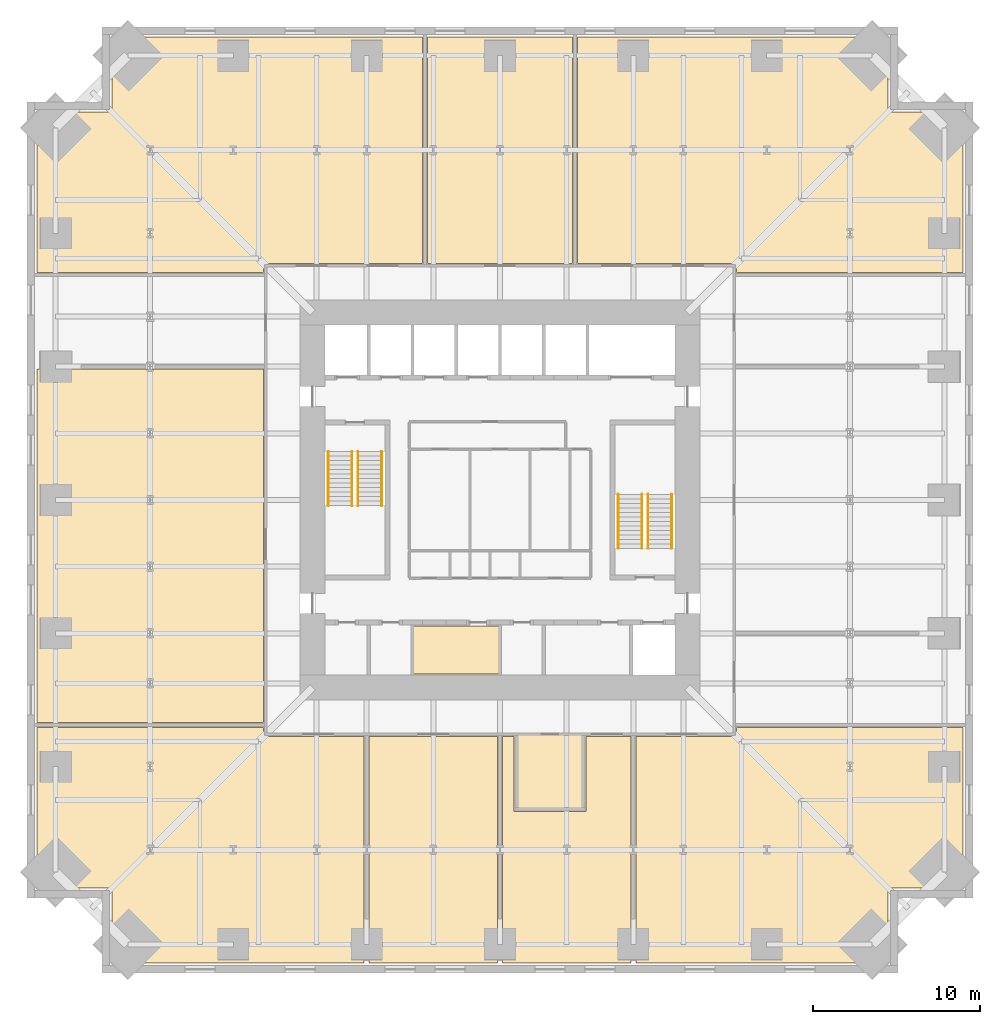
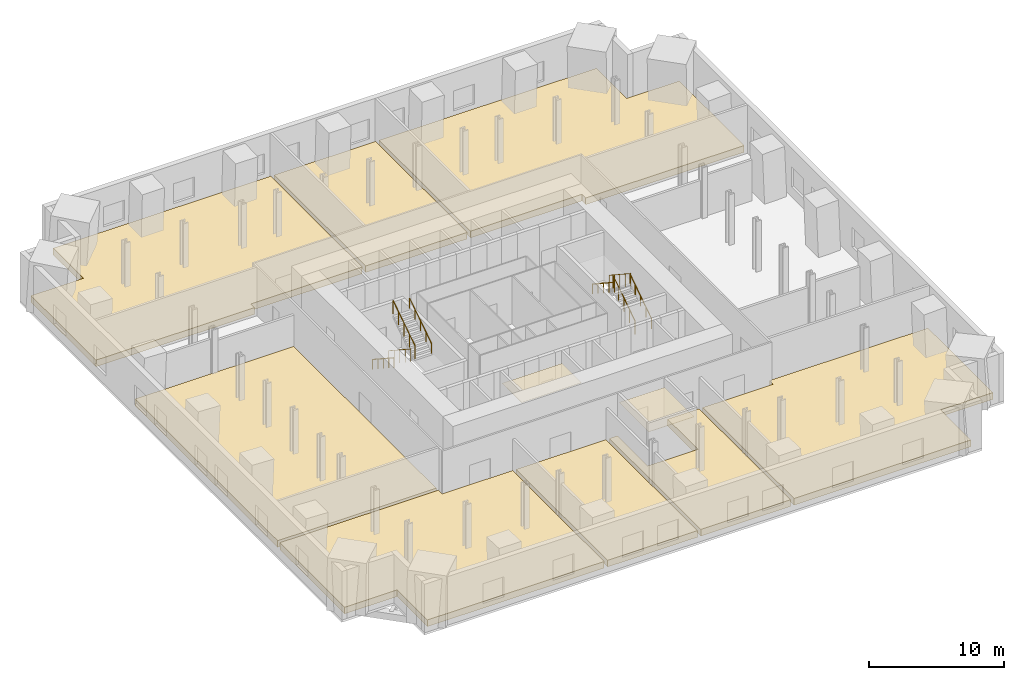
# One storey, part 8 of 8: 10 coverings, 8 railings.
"""IFC4 building model written with IfcOpenShell, lengths in metres."""

from ifc_helpers import new_model, si_unit, direction, frame, origin, origin_2d, place, context, subcontext, project, spatial, polyline, circle, outline, extrude, material, layer, layer_set, type_object, element, save


model = new_model("IFC4")

# Units and contexts
model_context = context("Model", 3, precision=1e-05, world=origin(), true_north=direction((0.0, 1.0)))
body_context = subcontext(model_context, "Body", "Model", "MODEL_VIEW")
ifc_project = project(units=[si_unit("LENGTHUNIT", "METRE"), si_unit("AREAUNIT", "SQUARE_METRE"), si_unit("VOLUMEUNIT", "CUBIC_METRE"), si_unit("PLANEANGLEUNIT", "RADIAN"), si_unit("MASSUNIT", "GRAM", prefix="KILO")], contexts=[model_context])

# Site, building, storey
site_placement = place(None, origin())
site = spatial("IfcSite", under=ifc_project, at=site_placement, CompositionType="ELEMENT")
building_placement = place(site_placement, origin())
building = spatial("IfcBuilding", under=site, at=building_placement, Name="Peilmerk Tower", CompositionType="ELEMENT")
storey_placement = place(building_placement, frame((0.0, 0.0, 104.39990234375)))
storey = spatial("IfcBuildingStorey", under=building, at=storey_placement, Name="L20", CompositionType="ELEMENT", Elevation=104.39990234375)

# Coverings
ifc_material_1 = material(Name="Mineral fibre ceiling tiles", Category="mineral")
ifc_layer_1 = layer(ifc_material_1, 0.02490234375)
ifc_layer_set_1 = layer_set([ifc_layer_1], Name="Mineral fibre ceiling tiles")
covering_type_1 = type_object("IfcCoveringType", Name="CL1 25 suspended ceiling", PredefinedType="CEILING", material=ifc_layer_set_1)
covering_1_placement = place(storey_placement, frame((0.0, 0.0, 3.47509765625)))
element("IfcCovering", 1, at=covering_1_placement, inside=storey, type_object=covering_type_1, Name="Suspended ceiling Operations office", PredefinedType="CEILING", context=body_context, shape_type="SweptSolid", body=[
    extrude(outline(polyline([(4.949951171875, -18.5), (4.949951171875, -14.10009765625), (1.050048828125, -14.10009765625), (1.050048828125, -18.5), (4.949951171875, -18.5)])), origin(), (0.0, 0.0, 1.0), 0.02490234375),
])
covering_2_placement = place(storey_placement, frame((0.0, 0.0, 3.425048828125)))
element("IfcCovering", 2, at=covering_2_placement, inside=storey, type_object=covering_type_1, Name="Suspended ceiling Back-of-house office", PredefinedType="CEILING", context=body_context, shape_type="SweptSolid", body=[
    extrude(outline(polyline([(-5.198974609375, -10.448974609375), (-0.051025390625, -10.448974609375), (-0.051025390625, -7.551025390625), (-5.198974609375, -7.551025390625), (-5.198974609375, -10.448974609375)])), origin(), (0.0, 0.0, 1.0), 0.025146484375),
])

# Railings
ifc_material_2 = material(Name="Steel flat bar balustrade", Category="steel")
railing_type_1 = type_object("IfcRailingType", Name="GR1 1200 stair guard", PredefinedType="GUARDRAIL", material=ifc_material_2)
railing_1_placement = place(storey_placement, frame((-8.8798828125, 2.89990234375, 0.177001953125)))
element("IfcRailing", 3, at=railing_1_placement, inside=storey, type_object=railing_type_1, Name="Guard stair 1 L20", PredefinedType="GUARDRAIL", context=body_context, shape_type="SweptSolid", body=[
    extrude(circle(Radius=0.02392578125, at=origin_2d()), frame((0.0, 0.0, 1.17578125), z_axis=(0.0, -0.836426258751, 0.548079477514), x_axis=(1.0, 0.0, 0.0)), (0.0, 0.0, 1.0), 3.87353515625),
    extrude(circle(Radius=0.02099609375, at=origin_2d()), origin(), (0.0, 0.0, 1.0), 1.15185546875),
    extrude(circle(Radius=0.02099609375, at=origin_2d()), frame((0.0, -0.81005859375, 0.53076171875)), (0.0, 0.0, 1.0), 1.15185546875),
    extrude(circle(Radius=0.02099609375, at=origin_2d()), frame((0.0, -1.6201171875, 1.0615234375)), (0.0, 0.0, 1.0), 1.15185546875),
    extrude(circle(Radius=0.02099609375, at=origin_2d()), frame((0.0, -2.429931640625, 1.59228515625)), (0.0, 0.0, 1.0), 1.15185546875),
    extrude(circle(Radius=0.02099609375, at=origin_2d()), frame((0.0, -3.239990234375, 2.123046875)), (0.0, 0.0, 1.0), 1.15185546875),
])
for number, where, name in (
    (4, (-8.52001953125, -0.340087890625, 2.47705078125), "Guard stair 1 L20"),
    (5, (8.8798828125, -2.89990234375, 0.177001953125), "Guard stair 2 L20"),
):
    element("IfcRailing", number, at=place(storey_placement, frame(where)), inside=storey, type_object=railing_type_1, Name=name, PredefinedType="GUARDRAIL", context=body_context, shape_type="SweptSolid", body=[
        extrude(circle(Radius=0.02392578125, at=origin_2d()), frame((0.0, 0.0, 1.17578125), z_axis=(0.0, 0.836426258751, 0.548079477514), x_axis=(-1.0, 0.0, 0.0)), (0.0, 0.0, 1.0), 3.87353515625),
        extrude(circle(Radius=0.02099609375, at=origin_2d()), origin(), (0.0, 0.0, 1.0), 1.15185546875),
        extrude(circle(Radius=0.02099609375, at=origin_2d()), frame((0.0, 0.81005859375, 0.53076171875)), (0.0, 0.0, 1.0), 1.15185546875),
        extrude(circle(Radius=0.02099609375, at=origin_2d()), frame((0.0, 1.6201171875, 1.0615234375)), (0.0, 0.0, 1.0), 1.15185546875),
        extrude(circle(Radius=0.02099609375, at=origin_2d()), frame((0.0, 2.429931640625, 1.59228515625)), (0.0, 0.0, 1.0), 1.15185546875),
        extrude(circle(Radius=0.02099609375, at=origin_2d()), frame((0.0, 3.239990234375, 2.123046875)), (0.0, 0.0, 1.0), 1.15185546875),
    ])
railing_2_placement = place(storey_placement, frame((8.52001953125, 0.340087890625, 2.47705078125)))
element("IfcRailing", 6, at=railing_2_placement, inside=storey, type_object=railing_type_1, Name="Guard stair 2 L20", PredefinedType="GUARDRAIL", context=body_context, shape_type="SweptSolid", body=[
    extrude(circle(Radius=0.02392578125, at=origin_2d()), frame((0.0, 0.0, 1.17578125), z_axis=(0.0, -0.836426258751, 0.548079477514), x_axis=(1.0, 0.0, 0.0)), (0.0, 0.0, 1.0), 3.87353515625),
    extrude(circle(Radius=0.02099609375, at=origin_2d()), origin(), (0.0, 0.0, 1.0), 1.15185546875),
    extrude(circle(Radius=0.02099609375, at=origin_2d()), frame((0.0, -0.81005859375, 0.53076171875)), (0.0, 0.0, 1.0), 1.15185546875),
    extrude(circle(Radius=0.02099609375, at=origin_2d()), frame((0.0, -1.6201171875, 1.0615234375)), (0.0, 0.0, 1.0), 1.15185546875),
    extrude(circle(Radius=0.02099609375, at=origin_2d()), frame((0.0, -2.429931640625, 1.59228515625)), (0.0, 0.0, 1.0), 1.15185546875),
    extrude(circle(Radius=0.02099609375, at=origin_2d()), frame((0.0, -3.239990234375, 2.123046875)), (0.0, 0.0, 1.0), 1.15185546875),
])
ifc_material_3 = material(Name="Stainless steel tube", Category="steel")
railing_type_2 = type_object("IfcRailingType", Name="HR1 900 stair handrail", PredefinedType="HANDRAIL", material=ifc_material_3)
railing_3_placement = place(storey_placement, frame((-10.300048828125, 2.89990234375, 0.177001953125)))
element("IfcRailing", 7, at=railing_3_placement, inside=storey, type_object=railing_type_2, Name="Handrail stair 1 L20", PredefinedType="HANDRAIL", context=body_context, shape_type="SweptSolid", body=[
    extrude(circle(Radius=0.02392578125, at=origin_2d()), frame((0.0, 0.0, 0.8759765625), z_axis=(0.0, -0.836426258751, 0.548079477514), x_axis=(1.0, 0.0, 0.0)), (0.0, 0.0, 1.0), 3.87353515625),
    extrude(circle(Radius=0.02099609375, at=origin_2d()), origin(), (0.0, 0.0, 1.0), 0.851806640625),
    extrude(circle(Radius=0.02099609375, at=origin_2d()), frame((0.0, -0.81005859375, 0.53076171875)), (0.0, 0.0, 1.0), 0.851806640625),
    extrude(circle(Radius=0.02099609375, at=origin_2d()), frame((0.0, -1.6201171875, 1.0615234375)), (0.0, 0.0, 1.0), 0.851806640625),
    extrude(circle(Radius=0.02099609375, at=origin_2d()), frame((0.0, -2.429931640625, 1.59228515625)), (0.0, 0.0, 1.0), 0.851806640625),
    extrude(circle(Radius=0.02099609375, at=origin_2d()), frame((0.0, -3.239990234375, 2.123046875)), (0.0, 0.0, 1.0), 0.851806640625),
])
for number, where, name in (
    (8, (-7.10009765625, -0.340087890625, 2.47705078125), "Handrail stair 1 L20"),
    (9, (10.300048828125, -2.89990234375, 0.177001953125), "Handrail stair 2 L20"),
):
    element("IfcRailing", number, at=place(storey_placement, frame(where)), inside=storey, type_object=railing_type_2, Name=name, PredefinedType="HANDRAIL", context=body_context, shape_type="SweptSolid", body=[
        extrude(circle(Radius=0.02392578125, at=origin_2d()), frame((0.0, 0.0, 0.8759765625), z_axis=(0.0, 0.836426258751, 0.548079477514), x_axis=(-1.0, 0.0, 0.0)), (0.0, 0.0, 1.0), 3.87353515625),
        extrude(circle(Radius=0.02099609375, at=origin_2d()), origin(), (0.0, 0.0, 1.0), 0.851806640625),
        extrude(circle(Radius=0.02099609375, at=origin_2d()), frame((0.0, 0.81005859375, 0.53076171875)), (0.0, 0.0, 1.0), 0.851806640625),
        extrude(circle(Radius=0.02099609375, at=origin_2d()), frame((0.0, 1.6201171875, 1.0615234375)), (0.0, 0.0, 1.0), 0.851806640625),
        extrude(circle(Radius=0.02099609375, at=origin_2d()), frame((0.0, 2.429931640625, 1.59228515625)), (0.0, 0.0, 1.0), 0.851806640625),
        extrude(circle(Radius=0.02099609375, at=origin_2d()), frame((0.0, 3.239990234375, 2.123046875)), (0.0, 0.0, 1.0), 0.851806640625),
    ])
railing_4_placement = place(storey_placement, frame((7.10009765625, 0.340087890625, 2.47705078125)))
element("IfcRailing", 10, at=railing_4_placement, inside=storey, type_object=railing_type_2, Name="Handrail stair 2 L20", PredefinedType="HANDRAIL", context=body_context, shape_type="SweptSolid", body=[
    extrude(circle(Radius=0.02392578125, at=origin_2d()), frame((0.0, 0.0, 0.8759765625), z_axis=(0.0, -0.836426258751, 0.548079477514), x_axis=(1.0, 0.0, 0.0)), (0.0, 0.0, 1.0), 3.87353515625),
    extrude(circle(Radius=0.02099609375, at=origin_2d()), origin(), (0.0, 0.0, 1.0), 0.851806640625),
    extrude(circle(Radius=0.02099609375, at=origin_2d()), frame((0.0, -0.81005859375, 0.53076171875)), (0.0, 0.0, 1.0), 0.851806640625),
    extrude(circle(Radius=0.02099609375, at=origin_2d()), frame((0.0, -1.6201171875, 1.0615234375)), (0.0, 0.0, 1.0), 0.851806640625),
    extrude(circle(Radius=0.02099609375, at=origin_2d()), frame((0.0, -2.429931640625, 1.59228515625)), (0.0, 0.0, 1.0), 0.851806640625),
    extrude(circle(Radius=0.02099609375, at=origin_2d()), frame((0.0, -3.239990234375, 2.123046875)), (0.0, 0.0, 1.0), 0.851806640625),
])

# Coverings
ifc_material_4 = material(Name="Steel raised access floor panels on pedestals", Category="steel")
ifc_layer_2 = layer(ifc_material_4, 0.60009765625)
ifc_layer_set_2 = layer_set([ifc_layer_2], Name="Steel raised access floor panels on pedestals")
covering_type_2 = type_object("IfcCoveringType", Name="RF1 600 raised access floor", PredefinedType="FLOORING", material=ifc_layer_set_2)
covering_3_placement = place(storey_placement, origin())
element("IfcCovering", 11, at=covering_3_placement, inside=storey, type_object=covering_type_2, Name="Raised access floor Telecom equipment room A", PredefinedType="FLOORING", context=body_context, shape_type="SweptSolid", body=[
    extrude(outline(polyline([(-27.800048828125, 23.300048828125), (-27.800048828125, 13.64990234375), (-14.199951171875, 13.64990234375), (-14.199951171875, 14.199951171875), (-4.64990234375, 14.199951171875), (-4.64990234375, 27.800048828125), (-23.300048828125, 27.800048828125), (-23.300048828125, 23.300048828125), (-27.800048828125, 23.300048828125)])), origin(), (0.0, 0.0, 1.0), 0.60009765625),
])
covering_4_placement = place(storey_placement, origin())
element("IfcCovering", 12, at=covering_4_placement, inside=storey, type_object=covering_type_2, Name="Raised access floor Telecom equipment room B", PredefinedType="FLOORING", context=body_context, shape_type="SweptSolid", body=[
    extrude(outline(polyline([(4.35009765625, 27.800048828125), (-4.35009765625, 27.800048828125), (-4.35009765625, 14.199951171875), (4.35009765625, 14.199951171875), (4.35009765625, 27.800048828125)])), origin(), (0.0, 0.0, 1.0), 0.60009765625),
])
covering_5_placement = place(storey_placement, origin())
element("IfcCovering", 13, at=covering_5_placement, inside=storey, type_object=covering_type_2, Name="Raised access floor Telecom equipment room C", PredefinedType="FLOORING", context=body_context, shape_type="SweptSolid", body=[
    extrude(outline(polyline([(23.300048828125, 27.800048828125), (4.64990234375, 27.800048828125), (4.64990234375, 14.199951171875), (14.199951171875, 14.199951171875), (14.199951171875, 13.64990234375), (27.800048828125, 13.64990234375), (27.800048828125, 23.300048828125), (23.300048828125, 23.300048828125), (23.300048828125, 27.800048828125)])), origin(), (0.0, 0.0, 1.0), 0.60009765625),
])
covering_6_placement = place(storey_placement, origin())
element("IfcCovering", 14, at=covering_6_placement, inside=storey, type_object=covering_type_2, Name="Raised access floor Telecom equipment room D", PredefinedType="FLOORING", context=body_context, shape_type="SweptSolid", body=[
    extrude(outline(polyline([(-23.300048828125, -27.800048828125), (-8.14990234375, -27.800048828125), (-8.14990234375, -14.199951171875), (-14.199951171875, -14.199951171875), (-14.199951171875, -13.64990234375), (-27.800048828125, -13.64990234375), (-27.800048828125, -23.300048828125), (-23.300048828125, -23.300048828125), (-23.300048828125, -27.800048828125)])), origin(), (0.0, 0.0, 1.0), 0.60009765625),
])
covering_7_placement = place(storey_placement, origin())
element("IfcCovering", 15, at=covering_7_placement, inside=storey, type_object=covering_type_2, Name="Raised access floor Transmission room A", PredefinedType="FLOORING", context=body_context, shape_type="SweptSolid", body=[
    extrude(outline(polyline([(-7.85009765625, -27.800048828125), (-0.14990234375, -27.800048828125), (-0.14990234375, -14.199951171875), (-7.85009765625, -14.199951171875), (-7.85009765625, -27.800048828125)])), origin(), (0.0, 0.0, 1.0), 0.60009765625),
])
covering_8_placement = place(storey_placement, origin())
element("IfcCovering", 16, at=covering_8_placement, inside=storey, type_object=covering_type_2, Name="Raised access floor Transmission room B", PredefinedType="FLOORING", context=body_context, shape_type="SweptSolid", body=[
    extrude(outline(polyline([(0.14990234375, -14.199951171875), (0.14990234375, -27.800048828125), (7.85009765625, -27.800048828125), (7.85009765625, -14.199951171875), (5.14990234375, -14.199951171875), (5.14990234375, -18.699951171875), (0.85009765625, -18.699951171875), (0.85009765625, -14.199951171875), (0.14990234375, -14.199951171875)])), origin(), (0.0, 0.0, 1.0), 0.60009765625),
])
covering_9_placement = place(storey_placement, origin())
element("IfcCovering", 17, at=covering_9_placement, inside=storey, type_object=covering_type_2, Name="Raised access floor Telecom equipment room E", PredefinedType="FLOORING", context=body_context, shape_type="SweptSolid", body=[
    extrude(outline(polyline([(8.14990234375, -27.800048828125), (23.300048828125, -27.800048828125), (23.300048828125, -23.300048828125), (27.800048828125, -23.300048828125), (27.800048828125, -13.64990234375), (14.199951171875, -13.64990234375), (14.199951171875, -14.199951171875), (8.14990234375, -14.199951171875), (8.14990234375, -27.800048828125)])), origin(), (0.0, 0.0, 1.0), 0.60009765625),
])
covering_10_placement = place(storey_placement, origin())
element("IfcCovering", 18, at=covering_10_placement, inside=storey, type_object=covering_type_2, Name="Raised access floor Network room", PredefinedType="FLOORING", context=body_context, shape_type="SweptSolid", body=[
    extrude(outline(polyline([(-27.800048828125, 7.85009765625), (-27.800048828125, -13.35009765625), (-14.199951171875, -13.35009765625), (-14.199951171875, 7.85009765625), (-27.800048828125, 7.85009765625)])), origin(), (0.0, 0.0, 1.0), 0.60009765625),
])

save(model, "model.ifc")
